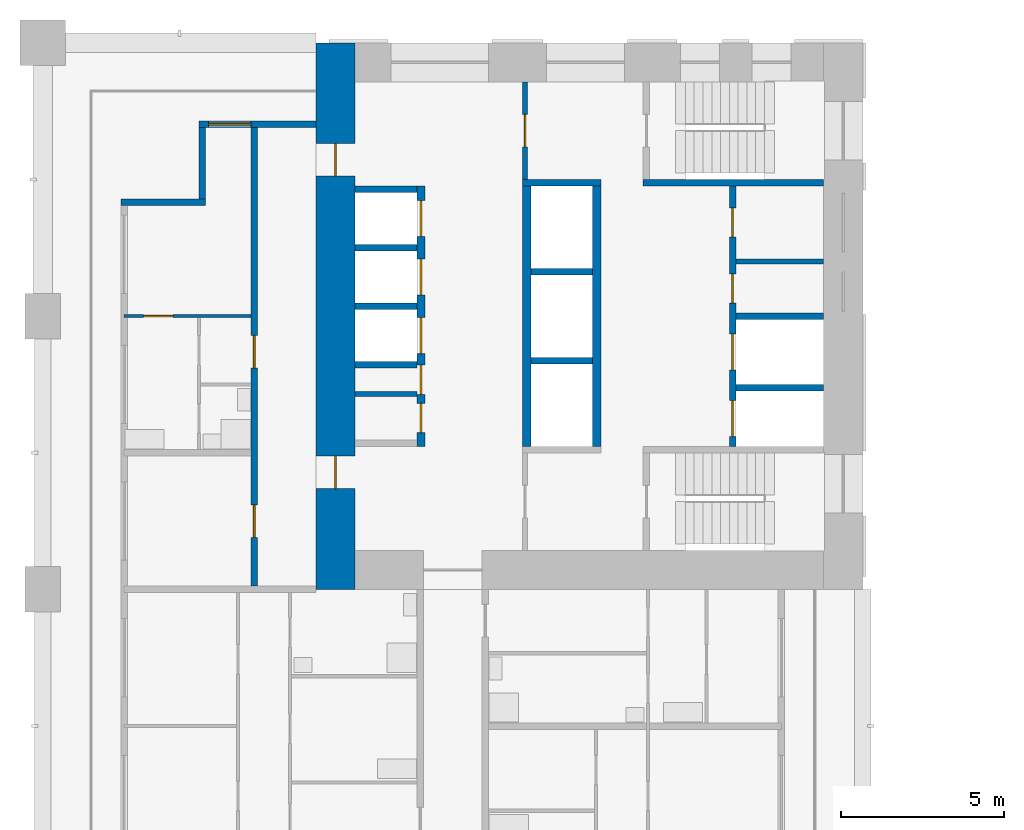
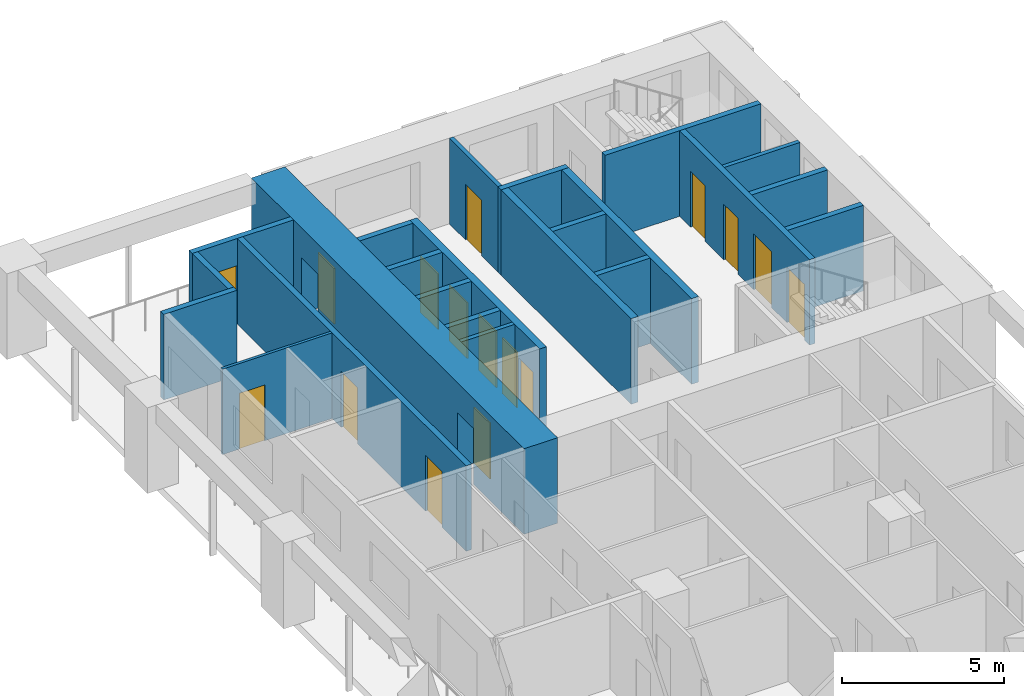
# One storey, part 9 of 19: 23 walls, 16 doors, 16 openings.
"""IFC4 building model written with IfcOpenShell, lengths in metres."""

from ifc_helpers import new_model, si_unit, direction, frame, frame_2d, origin, place, context, subcontext, project, spatial, rectangle, extrude, material, layer, layer_set, type_object, element, fill, save


model = new_model("IFC4")

# Units and contexts
model_context = context("Model", 3, precision=1e-05, world=origin(), true_north=direction((0.0, 1.0)))
body_context = subcontext(model_context, "Body", "Model", "MODEL_VIEW")
ifc_project = project(units=[si_unit("LENGTHUNIT", "METRE"), si_unit("AREAUNIT", "SQUARE_METRE"), si_unit("VOLUMEUNIT", "CUBIC_METRE"), si_unit("PLANEANGLEUNIT", "RADIAN"), si_unit("MASSUNIT", "GRAM", prefix="KILO")], contexts=[model_context])

# Site, building, storey
site_placement = place(None, origin())
site = spatial("IfcSite", under=ifc_project, at=site_placement, CompositionType="ELEMENT")
building_placement = place(site_placement, origin())
building = spatial("IfcBuilding", under=site, at=building_placement, Name="Vermilion Gate Residences", CompositionType="ELEMENT")
storey_placement = place(building_placement, frame((0.0, 0.0, 46.199951171875)))
storey = spatial("IfcBuildingStorey", under=building, at=storey_placement, Name="L10", CompositionType="ELEMENT", Elevation=46.199951171875)

# Walls
ifc_material_1 = material(Name="Masonry blockwork", Category="masonry")
ifc_layer_1 = layer(ifc_material_1, 0.14990234375)
ifc_layer_set_1 = layer_set([ifc_layer_1], Name="BLOCKWORK PARTITION 150 EI 120")
wall_type_1 = type_object("IfcWallType", Name="BLOCKWORK PARTITION 150 EI 120", PredefinedType="PARTITIONING", material=ifc_layer_set_1)
wall_1_placement = place(storey_placement, frame((9.60009765625, 48.007568359375, 0.0), z_axis=(0.0, 0.0, 1.0), x_axis=(1.0, 0.0, 0.0)))
element("IfcWall", 1, at=wall_1_placement, inside=storey, type_object=wall_type_1, Name="Core room partition B10-SR-P0", PredefinedType="PARTITIONING", context=body_context, shape_type="SweptSolid", body=[
    extrude(rectangle(XDim=1.89990234375, YDim=0.14990234375, at=frame_2d((0.949951171875, 0.0))), origin(), (0.0, 0.0, 1.0), 3.219970703125),
])
wall_2_placement = place(storey_placement, frame((21.300048828125, 52.074951171875, 0.0), z_axis=(0.0, 0.0, 1.0), x_axis=(1.0, 0.0, 0.0)))
element("IfcWall", 2, at=wall_2_placement, inside=storey, type_object=wall_type_1, Name="Core room partition B10-NR-P0", PredefinedType="PARTITIONING", context=body_context, shape_type="SweptSolid", body=[
    extrude(rectangle(XDim=2.699951171875, YDim=0.14990234375, at=frame_2d((1.35009765625, 0.0))), origin(), (0.0, 0.0, 1.0), 3.219970703125),
])

# Wall, opening, door
wall_3_placement = place(storey_placement, frame((14.824951171875, 57.60009765625, 0.0), z_axis=(0.0, 0.0, 1.0), x_axis=(0.0, -1.0, 0.0)))
wall_3 = element("IfcWall", 3, at=wall_3_placement, inside=storey, type_object=wall_type_1, Name="Core room partition B10-VW-S", PredefinedType="PARTITIONING", context=body_context, shape_type="SweptSolid", body=[
    extrude(rectangle(XDim=3.0, YDim=0.14990234375, at=frame_2d((1.5, 0.0))), origin(), (0.0, 0.0, 1.0), 3.219970703125),
])
opening_1_placement = place(wall_3_placement, frame((1.0, 0.0, 0.0)))
opening_1 = element("IfcOpeningElement", 4, at=opening_1_placement, cuts=wall_3, Name="Opening DK10113", PredefinedType="OPENING", context=body_context, shape_type="SweptSolid", body=[
    extrude(rectangle(XDim=1.0, YDim=2.10009765625, at=frame_2d((0.5, 1.050048828125))), frame((0.0, 0.0849609375, 0.0), z_axis=(0.0, -1.0, 0.0), x_axis=(1.0, 0.0, 0.0)), (0.0, 0.0, 1.0), 0.169921875),
])
ifc_material_2 = material(Name="Steel", Category="steel")
door_type_1 = type_object("IfcDoorType", Name="FIRE DOOR FD60 1000 X 2100", OperationType="SINGLE_SWING_LEFT", PredefinedType="DOOR", material=ifc_material_2)
door_1_placement = place(opening_1_placement, frame((1.0, 0.0, 0.0), z_axis=(0.0, 0.0, 1.0), x_axis=(-1.0, 0.0, 0.0)))
door_1 = element("IfcDoor", 5, at=door_1_placement, inside=storey, type_object=door_type_1, Name="Stair vestibule door B10", OperationType="SINGLE_SWING_RIGHT", OverallHeight=2.10009765625, OverallWidth=1.0, PredefinedType="DOOR", context=body_context, shape_type="SweptSolid", body=[
    extrude(rectangle(XDim=1.0, YDim=2.10009765625, at=frame_2d((0.5, 1.050048828125))), frame((0.0, 0.02490234375, 0.0), z_axis=(0.0, -1.0, 0.0), x_axis=(1.0, 0.0, 0.0)), (0.0, 0.0, 1.0), 0.050048828125),
])
fill(opening_1, door_1)

ifc_material_3 = material(Name="Insulated steel stud wall with terracotta rainscreen", Category="masonry")
ifc_layer_2 = layer(ifc_material_3, 0.199951171875)
ifc_layer_set_2 = layer_set([ifc_layer_2], Name="EXTERNAL WALL 200 TERRACOTTA RAINSCREEN")
wall_type_2 = type_object("IfcWallType", Name="EXTERNAL WALL 200 TERRACOTTA RAINSCREEN", PredefinedType="SOLIDWALL", material=ifc_layer_set_2)
wall_4_placement = place(storey_placement, frame((8.39990234375, 56.300048828125, 0.0), z_axis=(0.0, 0.0, 1.0), x_axis=(-1.0, 0.0, 0.0)))
wall_4 = element("IfcWall", 6, at=wall_4_placement, inside=storey, type_object=wall_type_2, Name="External wall", PredefinedType="SOLIDWALL", context=body_context, shape_type="SweptSolid", body=[
    extrude(rectangle(XDim=3.599853515625, YDim=0.199951171875, at=frame_2d((1.7998046875, 0.0))), origin(), (0.0, 0.0, 1.0), 3.219970703125),
])
opening_2_placement = place(wall_4_placement, frame((2.0, 0.0, 0.0)))
opening_2 = element("IfcOpeningElement", 7, at=opening_2_placement, cuts=wall_4, Name="Opening DE10001", PredefinedType="OPENING", context=body_context, shape_type="SweptSolid", body=[
    extrude(rectangle(XDim=1.300048828125, YDim=2.199951171875, at=frame_2d((0.64990234375, 1.10009765625))), frame((0.0, 0.10986328125, 0.0), z_axis=(0.0, -1.0, 0.0), x_axis=(1.0, 0.0, 0.0)), (0.0, 0.0, 1.0), 0.219970703125),
])
ifc_material_4 = material(Name="Aluminium and clear glass", Category="aluminium")
door_type_2 = type_object("IfcDoorType", Name="SLIDING GLAZED DOOR 1300 X 2200", OperationType="DOUBLE_DOOR_SLIDING", PredefinedType="DOOR", material=ifc_material_4)
door_2_placement = place(opening_2_placement, origin())
door_2 = element("IfcDoor", 8, at=door_2_placement, inside=storey, type_object=door_type_2, Name="Loggia sliding door", OperationType="DOUBLE_DOOR_SLIDING", OverallHeight=2.199951171875, OverallWidth=1.300048828125, PredefinedType="DOOR", context=body_context, shape_type="SweptSolid", body=[
    extrude(rectangle(XDim=1.300048828125, YDim=2.199951171875, at=frame_2d((0.64990234375, 1.10009765625))), frame((0.0, 0.02490234375, 0.0), z_axis=(0.0, -1.0, 0.0), x_axis=(1.0, 0.0, 0.0)), (0.0, 0.0, 1.0), 0.050048828125),
])
fill(opening_2, door_2)

# Walls
wall_5_placement = place(storey_placement, frame((4.89990234375, 56.199951171875, 0.0), z_axis=(0.0, 0.0, 1.0), x_axis=(0.0, -1.0, 0.0)))
element("IfcWall", 9, at=wall_5_placement, inside=storey, type_object=wall_type_2, Name="External wall", PredefinedType="SOLIDWALL", context=body_context, shape_type="SweptSolid", body=[
    extrude(rectangle(XDim=2.199951171875, YDim=0.199951171875, at=frame_2d((1.10009765625, 0.0))), origin(), (0.0, 0.0, 1.0), 3.219970703125),
])
wall_6_placement = place(storey_placement, frame((5.0, 53.89990234375, 0.0), z_axis=(0.0, 0.0, 1.0), x_axis=(-1.0, 0.0, 0.0)))
element("IfcWall", 10, at=wall_6_placement, inside=storey, type_object=wall_type_2, Name="External wall", PredefinedType="SOLIDWALL", context=body_context, shape_type="SweptSolid", body=[
    extrude(rectangle(XDim=2.60009765625, YDim=0.199951171875, at=frame_2d((1.300048828125, 0.0))), origin(), (0.0, 0.0, 1.0), 3.219970703125),
])

# Wall, opening, door
ifc_material_5 = material(Name="Plasterboard on steel studs", Category="steel")
ifc_layer_3 = layer(ifc_material_5, 0.10009765625)
ifc_layer_set_3 = layer_set([ifc_layer_3], Name="PARTITION 100")
wall_type_3 = type_object("IfcWallType", Name="PARTITION 100", PredefinedType="PARTITIONING", material=ifc_layer_set_3)
wall_7_placement = place(storey_placement, frame((2.5, 50.39990234375, 0.0), z_axis=(0.0, 0.0, 1.0), x_axis=(1.0, 0.0, 0.0)))
wall_7 = element("IfcWall", 11, at=wall_7_placement, inside=storey, type_object=wall_type_3, Name="Partition", PredefinedType="PARTITIONING", context=body_context, shape_type="SweptSolid", body=[
    extrude(rectangle(XDim=3.89990234375, YDim=0.10009765625, at=frame_2d((1.949951171875, 0.0))), origin(), (0.0, 0.0, 1.0), 3.219970703125),
])
opening_3_placement = place(wall_7_placement, frame((0.60009765625, 0.0, 0.0)))
opening_3 = element("IfcOpeningElement", 12, at=opening_3_placement, cuts=wall_7, Name="Opening DA10042", PredefinedType="OPENING", context=body_context, shape_type="SweptSolid", body=[
    extrude(rectangle(XDim=0.89990234375, YDim=2.10009765625, at=frame_2d((0.449951171875, 1.050048828125))), frame((0.0, 0.06005859375, 0.0), z_axis=(0.0, -1.0, 0.0), x_axis=(1.0, 0.0, 0.0)), (0.0, 0.0, 1.0), 0.1201171875),
])
ifc_material_6 = material(Name="Timber", Category="wood")
door_type_3 = type_object("IfcDoorType", Name="INTERIOR DOOR 900 X 2100", OperationType="SINGLE_SWING_LEFT", PredefinedType="DOOR", material=ifc_material_6)
door_3_placement = place(opening_3_placement, frame((0.89990234375, 0.0, 0.0), z_axis=(0.0, 0.0, 1.0), x_axis=(-1.0, 0.0, 0.0)))
door_3 = element("IfcDoor", 13, at=door_3_placement, inside=storey, type_object=door_type_3, Name="Interior door", OperationType="SINGLE_SWING_RIGHT", OverallHeight=2.10009765625, OverallWidth=0.89990234375, PredefinedType="DOOR", context=body_context, shape_type="SweptSolid", body=[
    extrude(rectangle(XDim=0.89990234375, YDim=2.10009765625, at=frame_2d((0.449951171875, 1.050048828125))), frame((0.0, 0.02490234375, 0.0), z_axis=(0.0, -1.0, 0.0), x_axis=(1.0, 0.0, 0.0)), (0.0, 0.0, 1.0), 0.050048828125),
])
fill(opening_3, door_3)

# Wall, openings, doors
ifc_material_7 = material(Name="Fire-rated plasterboard on steel studs", Category="steel")
ifc_layer_4 = layer(ifc_material_7, 0.199951171875)
ifc_layer_set_4 = layer_set([ifc_layer_4], Name="PARTY WALL 200 EI 120")
wall_type_4 = type_object("IfcWallType", Name="PARTY WALL 200 EI 120", PredefinedType="PARTITIONING", material=ifc_layer_set_4)
wall_8_placement = place(storey_placement, frame((6.5, 42.10009765625, 0.0), z_axis=(0.0, 0.0, 1.0), x_axis=(0.0, 1.0, 0.0)))
wall_8 = element("IfcWall", 14, at=wall_8_placement, inside=storey, type_object=wall_type_4, Name="Party and corridor wall", PredefinedType="PARTITIONING", context=body_context, shape_type="SweptSolid", body=[
    extrude(rectangle(XDim=14.199951171875, YDim=0.199951171875, at=frame_2d((7.10009765625, 0.0))), origin(), (0.0, 0.0, 1.0), 3.219970703125),
])
opening_4_placement = place(wall_8_placement, frame((1.5, 0.0, 0.0)))
opening_4 = element("IfcOpeningElement", 15, at=opening_4_placement, cuts=wall_8, Name="Opening DA10049", PredefinedType="OPENING", context=body_context, shape_type="SweptSolid", body=[
    extrude(rectangle(XDim=1.0, YDim=2.10009765625, at=frame_2d((0.5, 1.050048828125))), frame((0.0, 0.10986328125, 0.0), z_axis=(0.0, -1.0, 0.0), x_axis=(1.0, 0.0, 0.0)), (0.0, 0.0, 1.0), 0.219970703125),
])
opening_5_placement = place(wall_8_placement, frame((6.699951171875, 0.0, 0.0)))
opening_5 = element("IfcOpeningElement", 16, at=opening_5_placement, cuts=wall_8, Name="Opening DA10050", PredefinedType="OPENING", context=body_context, shape_type="SweptSolid", body=[
    extrude(rectangle(XDim=1.0, YDim=2.10009765625, at=frame_2d((0.5, 1.050048828125))), frame((0.0, 0.10986328125, 0.0), z_axis=(0.0, -1.0, 0.0), x_axis=(1.0, 0.0, 0.0)), (0.0, 0.0, 1.0), 0.219970703125),
])
ifc_material_8 = material(Name="Steel", Category="steel")
door_type_4 = type_object("IfcDoorType", Name="ENTRANCE DOOR 1000 X 2100 FD30", OperationType="SINGLE_SWING_LEFT", PredefinedType="DOOR", material=ifc_material_8)
door_4_placement = place(opening_4_placement, origin())
door_4 = element("IfcDoor", 17, at=door_4_placement, inside=storey, type_object=door_type_4, Name="Entrance door", OperationType="SINGLE_SWING_LEFT", OverallHeight=2.10009765625, OverallWidth=1.0, PredefinedType="DOOR", context=body_context, shape_type="SweptSolid", body=[
    extrude(rectangle(XDim=1.0, YDim=2.10009765625, at=frame_2d((0.5, 1.050048828125))), frame((0.0, 0.02490234375, 0.0), z_axis=(0.0, -1.0, 0.0), x_axis=(1.0, 0.0, 0.0)), (0.0, 0.0, 1.0), 0.050048828125),
])
fill(opening_4, door_4)
door_5_placement = place(opening_5_placement, origin())
door_5 = element("IfcDoor", 18, at=door_5_placement, inside=storey, type_object=door_type_4, Name="Entrance door", OperationType="SINGLE_SWING_LEFT", OverallHeight=2.10009765625, OverallWidth=1.0, PredefinedType="DOOR", context=body_context, shape_type="SweptSolid", body=[
    extrude(rectangle(XDim=1.0, YDim=2.10009765625, at=frame_2d((0.5, 1.050048828125))), frame((0.0, 0.02490234375, 0.0), z_axis=(0.0, -1.0, 0.0), x_axis=(1.0, 0.0, 0.0)), (0.0, 0.0, 1.0), 0.050048828125),
])
fill(opening_5, door_5)

# Walls
ifc_material_9 = material(Name="Concrete C60", Category="concrete")
ifc_layer_5 = layer(ifc_material_9, 0.199951171875)
ifc_layer_set_5 = layer_set([ifc_layer_5], Name="RC CORE INTERNAL WALL 200 C60")
wall_type_5 = type_object("IfcWallType", Name="RC CORE INTERNAL WALL 200 C60", PredefinedType="SHEAR", material=ifc_layer_set_5)
for number, where, z_axis, x_axis, name in (
    (19, (9.60009765625, 54.300048828125, 0.0), (0.0, 0.0, 1.0), (1.0, 0.0, 0.0), "Core internal wall B10-LR-D0"),
    (20, (9.60009765625, 52.5, 0.0), (0.0, 0.0, 1.0), (1.0, 0.0, 0.0), "Core internal wall B10-LR-D1"),
    (21, (9.60009765625, 50.699951171875, 0.0), (0.0, 0.0, 1.0), (1.0, 0.0, 0.0), "Core internal wall B10-LR-D2"),
    (22, (9.60009765625, 48.89990234375, 0.0), (0.0, 0.0, 1.0), (1.0, 0.0, 0.0), "Core internal wall B10-LR-D3"),
    (23, (15.0, 51.7666015625, 0.0), (0.0, 0.0, 1.0), (1.0, 0.0, 0.0), "Core internal wall B10-HR-D1"),
    (24, (15.0, 49.033447265625, 0.0), (0.0, 0.0, 1.0), (1.0, 0.0, 0.0), "Core internal wall B10-HR-D2"),
):
    element("IfcWall", number, at=place(storey_placement, frame(where, z_axis=z_axis, x_axis=x_axis)), inside=storey, type_object=wall_type_5, Name=name, PredefinedType="SHEAR", context=body_context, shape_type="SweptSolid", body=[
        extrude(rectangle(XDim=1.89990234375, YDim=0.199951171875, at=frame_2d((0.949951171875, 0.0))), origin(), (0.0, 0.0, 1.0), 3.219970703125),
    ])
for number, where, z_axis, x_axis, name in (
    (25, (21.300048828125, 50.39990234375, 0.0), (0.0, 0.0, 1.0), (1.0, 0.0, 0.0), "Core internal wall B10-FF-D0"),
    (26, (21.300048828125, 48.199951171875, 0.0), (0.0, 0.0, 1.0), (1.0, 0.0, 0.0), "Core internal wall B10-FF-D1"),
):
    element("IfcWall", number, at=place(storey_placement, frame(where, z_axis=z_axis, x_axis=x_axis)), inside=storey, type_object=wall_type_5, Name=name, PredefinedType="SHEAR", context=body_context, shape_type="SweptSolid", body=[
        extrude(rectangle(XDim=2.699951171875, YDim=0.199951171875, at=frame_2d((1.35009765625, 0.0))), origin(), (0.0, 0.0, 1.0), 3.219970703125),
    ])

# Wall, openings, doors
wall_9_placement = place(storey_placement, frame((21.199951171875, 54.39990234375, 0.0), z_axis=(0.0, 0.0, 1.0), x_axis=(0.0, -1.0, 0.0)))
wall_9 = element("IfcWall", 27, at=wall_9_placement, inside=storey, type_object=wall_type_5, Name="Core internal wall B10-FF-F", PredefinedType="SHEAR", context=body_context, shape_type="SweptSolid", body=[
    extrude(rectangle(XDim=8.0, YDim=0.199951171875, at=frame_2d((4.0, 0.0))), origin(), (0.0, 0.0, 1.0), 3.219970703125),
])
opening_6_placement = place(wall_9_placement, frame((0.675048828125, 0.0, 0.0)))
opening_6 = element("IfcOpeningElement", 28, at=opening_6_placement, cuts=wall_9, Name="Opening DK10109", PredefinedType="OPENING", context=body_context, shape_type="SweptSolid", body=[
    extrude(rectangle(XDim=0.89990234375, YDim=2.10009765625, at=frame_2d((0.449951171875, 1.050048828125))), frame((0.0, 0.10986328125, 0.0), z_axis=(0.0, -1.0, 0.0), x_axis=(1.0, 0.0, 0.0)), (0.0, 0.0, 1.0), 0.219970703125),
])
opening_7_placement = place(wall_9_placement, frame((2.699951171875, 0.0, 0.0)))
opening_7 = element("IfcOpeningElement", 29, at=opening_7_placement, cuts=wall_9, Name="Opening DK10110", PredefinedType="OPENING", context=body_context, shape_type="SweptSolid", body=[
    extrude(rectangle(XDim=0.89990234375, YDim=2.10009765625, at=frame_2d((0.449951171875, 1.050048828125))), frame((0.0, 0.10986328125, 0.0), z_axis=(0.0, -1.0, 0.0), x_axis=(1.0, 0.0, 0.0)), (0.0, 0.0, 1.0), 0.219970703125),
])
opening_8_placement = place(wall_9_placement, frame((4.550048828125, 0.0, 0.0)))
opening_8 = element("IfcOpeningElement", 30, at=opening_8_placement, cuts=wall_9, Name="Opening LD", PredefinedType="OPENING", context=body_context, shape_type="SweptSolid", body=[
    extrude(rectangle(XDim=1.10009765625, YDim=2.10009765625, at=frame_2d((0.550048828125, 1.050048828125))), frame((0.0, 0.10986328125, 0.0), z_axis=(0.0, -1.0, 0.0), x_axis=(1.0, 0.0, 0.0)), (0.0, 0.0, 1.0), 0.219970703125),
])
opening_9_placement = place(wall_9_placement, frame((6.60009765625, 0.0, 0.0)))
opening_9 = element("IfcOpeningElement", 31, at=opening_9_placement, cuts=wall_9, Name="Opening LD", PredefinedType="OPENING", context=body_context, shape_type="SweptSolid", body=[
    extrude(rectangle(XDim=1.10009765625, YDim=2.10009765625, at=frame_2d((0.550048828125, 1.050048828125))), frame((0.0, 0.10986328125, 0.0), z_axis=(0.0, -1.0, 0.0), x_axis=(1.0, 0.0, 0.0)), (0.0, 0.0, 1.0), 0.219970703125),
])
ifc_material_10 = material(Name="Stainless steel", Category="steel")
door_type_5 = type_object("IfcDoorType", Name="LIFT LANDING DOOR E60 1100 X 2100", OperationType="DOUBLE_DOOR_SLIDING", PredefinedType="DOOR", material=ifc_material_10)
door_6_placement = place(opening_8_placement, origin())
door_6 = element("IfcDoor", 32, at=door_6_placement, inside=storey, type_object=door_type_5, Name="Lift landing door LFB1", OperationType="DOUBLE_DOOR_SLIDING", OverallHeight=2.10009765625, OverallWidth=1.10009765625, PredefinedType="DOOR", context=body_context, shape_type="SweptSolid", body=[
    extrude(rectangle(XDim=1.10009765625, YDim=2.10009765625, at=frame_2d((0.550048828125, 1.050048828125))), frame((0.0, 0.02490234375, 0.0), z_axis=(0.0, -1.0, 0.0), x_axis=(1.0, 0.0, 0.0)), (0.0, 0.0, 1.0), 0.050048828125),
])
fill(opening_8, door_6)
door_7_placement = place(opening_9_placement, origin())
door_7 = element("IfcDoor", 33, at=door_7_placement, inside=storey, type_object=door_type_5, Name="Lift landing door LCB1", OperationType="DOUBLE_DOOR_SLIDING", OverallHeight=2.10009765625, OverallWidth=1.10009765625, PredefinedType="DOOR", context=body_context, shape_type="SweptSolid", body=[
    extrude(rectangle(XDim=1.10009765625, YDim=2.10009765625, at=frame_2d((0.550048828125, 1.050048828125))), frame((0.0, 0.02490234375, 0.0), z_axis=(0.0, -1.0, 0.0), x_axis=(1.0, 0.0, 0.0)), (0.0, 0.0, 1.0), 0.050048828125),
])
fill(opening_9, door_7)
ifc_material_11 = material(Name="Steel", Category="steel")
door_type_6 = type_object("IfcDoorType", Name="SERVICE ROOM DOOR FD60 900 X 2100", OperationType="SINGLE_SWING_LEFT", PredefinedType="DOOR", material=ifc_material_11)
door_8_placement = place(opening_6_placement, origin())
door_8 = element("IfcDoor", 34, at=door_8_placement, inside=storey, type_object=door_type_6, Name="Parcel room B10", OperationType="SINGLE_SWING_RIGHT", OverallHeight=2.10009765625, OverallWidth=0.89990234375, PredefinedType="DOOR", context=body_context, shape_type="SweptSolid", body=[
    extrude(rectangle(XDim=0.89990234375, YDim=2.10009765625, at=frame_2d((0.449951171875, 1.050048828125))), frame((0.0, 0.02490234375, 0.0), z_axis=(0.0, -1.0, 0.0), x_axis=(1.0, 0.0, 0.0)), (0.0, 0.0, 1.0), 0.050048828125),
])
fill(opening_6, door_8)
door_9_placement = place(opening_7_placement, frame((0.89990234375, 0.0, 0.0), z_axis=(0.0, 0.0, 1.0), x_axis=(-1.0, 0.0, 0.0)))
door_9 = element("IfcDoor", 35, at=door_9_placement, inside=storey, type_object=door_type_6, Name="Electrical room B10", OperationType="SINGLE_SWING_RIGHT", OverallHeight=2.10009765625, OverallWidth=0.89990234375, PredefinedType="DOOR", context=body_context, shape_type="SweptSolid", body=[
    extrude(rectangle(XDim=0.89990234375, YDim=2.10009765625, at=frame_2d((0.449951171875, 1.050048828125))), frame((0.0, 0.02490234375, 0.0), z_axis=(0.0, -1.0, 0.0), x_axis=(1.0, 0.0, 0.0)), (0.0, 0.0, 1.0), 0.050048828125),
])
fill(opening_7, door_9)

# Walls
wall_10_placement = place(storey_placement, frame((14.75, 54.5, 0.0), z_axis=(0.0, 0.0, 1.0), x_axis=(1.0, 0.0, 0.0)))
element("IfcWall", 36, at=wall_10_placement, inside=storey, type_object=wall_type_5, Name="Core internal wall B10-WDIV1", PredefinedType="SHEAR", context=body_context, shape_type="SweptSolid", body=[
    extrude(rectangle(XDim=2.39990234375, YDim=0.199951171875, at=frame_2d((1.199951171875, 0.0))), origin(), (0.0, 0.0, 1.0), 3.219970703125),
])
wall_11_placement = place(storey_placement, frame((18.449951171875, 54.5, 0.0), z_axis=(0.0, 0.0, 1.0), x_axis=(1.0, 0.0, 0.0)))
element("IfcWall", 37, at=wall_11_placement, inside=storey, type_object=wall_type_5, Name="Core internal wall B10-WDIV2", PredefinedType="SHEAR", context=body_context, shape_type="SweptSolid", body=[
    extrude(rectangle(XDim=5.550048828125, YDim=0.199951171875, at=frame_2d((2.77490234375, 0.0))), origin(), (0.0, 0.0, 1.0), 3.219970703125),
])

# Wall, openings, doors
ifc_material_12 = material(Name="Concrete C80", Category="concrete")
ifc_layer_6 = layer(ifc_material_12, 1.199951171875)
ifc_layer_set_6 = layer_set([ifc_layer_6], Name="RC CORE WALL 1200 C80")
wall_type_6 = type_object("IfcWallType", Name="RC CORE WALL 1200 C80", PredefinedType="SHEAR", material=ifc_layer_set_6)
wall_12_placement = place(storey_placement, frame((9.0, 58.800048828125, 0.0), z_axis=(0.0, 0.0, 1.0), x_axis=(0.0, -1.0, 0.0)))
wall_12 = element("IfcWall", 38, at=wall_12_placement, inside=storey, type_object=wall_type_6, Name="Core wall B10-OUT-B0", PredefinedType="SHEAR", context=body_context, shape_type="SweptSolid", body=[
    extrude(rectangle(XDim=16.800048828125, YDim=1.199951171875, at=frame_2d((8.39990234375, 0.0))), origin(), (0.0, 0.0, 1.0), 3.219970703125),
])
opening_10_placement = place(wall_12_placement, frame((3.10009765625, 0.0, 0.0)))
opening_10 = element("IfcOpeningElement", 39, at=opening_10_placement, cuts=wall_12, Name="Opening DK10101", PredefinedType="OPENING", context=body_context, shape_type="SweptSolid", body=[
    extrude(rectangle(XDim=1.0, YDim=2.10009765625, at=frame_2d((0.5, 1.050048828125))), frame((0.0, 0.60986328125, 0.0), z_axis=(0.0, -1.0, 0.0), x_axis=(1.0, 0.0, 0.0)), (0.0, 0.0, 1.0), 1.219970703125),
])
opening_11_placement = place(wall_12_placement, frame((12.699951171875, 0.0, 0.0)))
opening_11 = element("IfcOpeningElement", 40, at=opening_11_placement, cuts=wall_12, Name="Opening DK10102", PredefinedType="OPENING", context=body_context, shape_type="SweptSolid", body=[
    extrude(rectangle(XDim=1.0, YDim=2.10009765625, at=frame_2d((0.5, 1.050048828125))), frame((0.0, 0.60986328125, 0.0), z_axis=(0.0, -1.0, 0.0), x_axis=(1.0, 0.0, 0.0)), (0.0, 0.0, 1.0), 1.219970703125),
])
door_10_placement = place(opening_10_placement, origin())
door_10 = element("IfcDoor", 41, at=door_10_placement, inside=storey, type_object=door_type_1, Name="Core lobby side door B10", OperationType="SINGLE_SWING_RIGHT", OverallHeight=2.10009765625, OverallWidth=1.0, PredefinedType="DOOR", context=body_context, shape_type="SweptSolid", body=[
    extrude(rectangle(XDim=1.0, YDim=2.10009765625, at=frame_2d((0.5, 1.050048828125))), frame((0.0, 0.02490234375, 0.0), z_axis=(0.0, -1.0, 0.0), x_axis=(1.0, 0.0, 0.0)), (0.0, 0.0, 1.0), 0.050048828125),
])
fill(opening_10, door_10)
door_11_placement = place(opening_11_placement, origin())
door_11 = element("IfcDoor", 42, at=door_11_placement, inside=storey, type_object=door_type_1, Name="Core lobby side door B10", OperationType="SINGLE_SWING_LEFT", OverallHeight=2.10009765625, OverallWidth=1.0, PredefinedType="DOOR", context=body_context, shape_type="SweptSolid", body=[
    extrude(rectangle(XDim=1.0, YDim=2.10009765625, at=frame_2d((0.5, 1.050048828125))), frame((0.0, 0.02490234375, 0.0), z_axis=(0.0, -1.0, 0.0), x_axis=(1.0, 0.0, 0.0)), (0.0, 0.0, 1.0), 0.050048828125),
])
fill(opening_11, door_11)

ifc_material_13 = material(Name="Concrete C60", Category="concrete")
ifc_layer_7 = layer(ifc_material_13, 0.25)
ifc_layer_set_7 = layer_set([ifc_layer_7], Name="RC LIFT SHAFT WALL 250 C60")
wall_type_7 = type_object("IfcWallType", Name="RC LIFT SHAFT WALL 250 C60", PredefinedType="SHEAR", material=ifc_layer_set_7)
wall_13_placement = place(storey_placement, frame((11.625, 54.39990234375, 0.0), z_axis=(0.0, 0.0, 1.0), x_axis=(0.0, -1.0, 0.0)))
wall_13 = element("IfcWall", 43, at=wall_13_placement, inside=storey, type_object=wall_type_7, Name="Lift shaft wall B10-LR-F", PredefinedType="SHEAR", context=body_context, shape_type="SweptSolid", body=[
    extrude(rectangle(XDim=8.0, YDim=0.25, at=frame_2d((4.0, 0.0))), origin(), (0.0, 0.0, 1.0), 3.219970703125),
])
opening_12_placement = place(wall_13_placement, frame((0.449951171875, 0.0, 0.0)))
opening_12 = element("IfcOpeningElement", 44, at=opening_12_placement, cuts=wall_13, Name="Opening LD", PredefinedType="OPENING", context=body_context, shape_type="SweptSolid", body=[
    extrude(rectangle(XDim=1.10009765625, YDim=2.10009765625, at=frame_2d((0.550048828125, 1.050048828125))), frame((0.0, 0.135009765625, 0.0), z_axis=(0.0, -1.0, 0.0), x_axis=(1.0, 0.0, 0.0)), (0.0, 0.0, 1.0), 0.27001953125),
])
opening_13_placement = place(wall_13_placement, frame((2.25, 0.0, 0.0)))
opening_13 = element("IfcOpeningElement", 45, at=opening_13_placement, cuts=wall_13, Name="Opening LD", PredefinedType="OPENING", context=body_context, shape_type="SweptSolid", body=[
    extrude(rectangle(XDim=1.10009765625, YDim=2.10009765625, at=frame_2d((0.550048828125, 1.050048828125))), frame((0.0, 0.135009765625, 0.0), z_axis=(0.0, -1.0, 0.0), x_axis=(1.0, 0.0, 0.0)), (0.0, 0.0, 1.0), 0.27001953125),
])
opening_14_placement = place(wall_13_placement, frame((4.050048828125, 0.0, 0.0)))
opening_14 = element("IfcOpeningElement", 46, at=opening_14_placement, cuts=wall_13, Name="Opening LD", PredefinedType="OPENING", context=body_context, shape_type="SweptSolid", body=[
    extrude(rectangle(XDim=1.10009765625, YDim=2.10009765625, at=frame_2d((0.550048828125, 1.050048828125))), frame((0.0, 0.135009765625, 0.0), z_axis=(0.0, -1.0, 0.0), x_axis=(1.0, 0.0, 0.0)), (0.0, 0.0, 1.0), 0.27001953125),
])
opening_15_placement = place(wall_13_placement, frame((5.5087890625, 0.0, 0.0)))
opening_15 = element("IfcOpeningElement", 47, at=opening_15_placement, cuts=wall_13, Name="Opening DK10107", PredefinedType="OPENING", context=body_context, shape_type="SweptSolid", body=[
    extrude(rectangle(XDim=0.89990234375, YDim=2.10009765625, at=frame_2d((0.449951171875, 1.050048828125))), frame((0.0, 0.135009765625, 0.0), z_axis=(0.0, -1.0, 0.0), x_axis=(1.0, 0.0, 0.0)), (0.0, 0.0, 1.0), 0.27001953125),
])
opening_16_placement = place(wall_13_placement, frame((6.683837890625, 0.0, 0.0)))
opening_16 = element("IfcOpeningElement", 48, at=opening_16_placement, cuts=wall_13, Name="Opening DK10108", PredefinedType="OPENING", context=body_context, shape_type="SweptSolid", body=[
    extrude(rectangle(XDim=0.89990234375, YDim=2.10009765625, at=frame_2d((0.449951171875, 1.050048828125))), frame((0.0, 0.135009765625, 0.0), z_axis=(0.0, -1.0, 0.0), x_axis=(1.0, 0.0, 0.0)), (0.0, 0.0, 1.0), 0.27001953125),
])
door_12_placement = place(opening_12_placement, origin())
door_12 = element("IfcDoor", 49, at=door_12_placement, inside=storey, type_object=door_type_5, Name="Lift landing door LRB1", OperationType="DOUBLE_DOOR_SLIDING", OverallHeight=2.10009765625, OverallWidth=1.10009765625, PredefinedType="DOOR", context=body_context, shape_type="SweptSolid", body=[
    extrude(rectangle(XDim=1.10009765625, YDim=2.10009765625, at=frame_2d((0.550048828125, 1.050048828125))), frame((0.0, 0.02490234375, 0.0), z_axis=(0.0, -1.0, 0.0), x_axis=(1.0, 0.0, 0.0)), (0.0, 0.0, 1.0), 0.050048828125),
])
fill(opening_12, door_12)
door_13_placement = place(opening_13_placement, origin())
door_13 = element("IfcDoor", 50, at=door_13_placement, inside=storey, type_object=door_type_5, Name="Lift landing door LRB2", OperationType="DOUBLE_DOOR_SLIDING", OverallHeight=2.10009765625, OverallWidth=1.10009765625, PredefinedType="DOOR", context=body_context, shape_type="SweptSolid", body=[
    extrude(rectangle(XDim=1.10009765625, YDim=2.10009765625, at=frame_2d((0.550048828125, 1.050048828125))), frame((0.0, 0.02490234375, 0.0), z_axis=(0.0, -1.0, 0.0), x_axis=(1.0, 0.0, 0.0)), (0.0, 0.0, 1.0), 0.050048828125),
])
fill(opening_13, door_13)
door_14_placement = place(opening_14_placement, origin())
door_14 = element("IfcDoor", 51, at=door_14_placement, inside=storey, type_object=door_type_5, Name="Lift landing door LRB3", OperationType="DOUBLE_DOOR_SLIDING", OverallHeight=2.10009765625, OverallWidth=1.10009765625, PredefinedType="DOOR", context=body_context, shape_type="SweptSolid", body=[
    extrude(rectangle(XDim=1.10009765625, YDim=2.10009765625, at=frame_2d((0.550048828125, 1.050048828125))), frame((0.0, 0.02490234375, 0.0), z_axis=(0.0, -1.0, 0.0), x_axis=(1.0, 0.0, 0.0)), (0.0, 0.0, 1.0), 0.050048828125),
])
fill(opening_14, door_14)
door_15_placement = place(opening_15_placement, origin())
door_15 = element("IfcDoor", 52, at=door_15_placement, inside=storey, type_object=door_type_6, Name="Fire equipment store B10", OperationType="SINGLE_SWING_LEFT", OverallHeight=2.10009765625, OverallWidth=0.89990234375, PredefinedType="DOOR", context=body_context, shape_type="SweptSolid", body=[
    extrude(rectangle(XDim=0.89990234375, YDim=2.10009765625, at=frame_2d((0.449951171875, 1.050048828125))), frame((0.0, 0.02490234375, 0.0), z_axis=(0.0, -1.0, 0.0), x_axis=(1.0, 0.0, 0.0)), (0.0, 0.0, 1.0), 0.050048828125),
])
fill(opening_15, door_15)
door_16_placement = place(opening_16_placement, frame((0.89990234375, 0.0, 0.0), z_axis=(0.0, 0.0, 1.0), x_axis=(-1.0, 0.0, 0.0)))
door_16 = element("IfcDoor", 53, at=door_16_placement, inside=storey, type_object=door_type_6, Name="Mail room B10", OperationType="SINGLE_SWING_RIGHT", OverallHeight=2.10009765625, OverallWidth=0.89990234375, PredefinedType="DOOR", context=body_context, shape_type="SweptSolid", body=[
    extrude(rectangle(XDim=0.89990234375, YDim=2.10009765625, at=frame_2d((0.449951171875, 1.050048828125))), frame((0.0, 0.02490234375, 0.0), z_axis=(0.0, -1.0, 0.0), x_axis=(1.0, 0.0, 0.0)), (0.0, 0.0, 1.0), 0.050048828125),
])
fill(opening_16, door_16)

# Walls
for number, where, z_axis, x_axis, name in (
    (54, (14.875, 54.39990234375, 0.0), (0.0, 0.0, 1.0), (0.0, -1.0, 0.0), "Lift shaft wall B10-HR-F"),
    (55, (17.02490234375, 54.39990234375, 0.0), (0.0, 0.0, 1.0), (0.0, -1.0, 0.0), "Lift shaft wall B10-HR-B"),
):
    element("IfcWall", number, at=place(storey_placement, frame(where, z_axis=z_axis, x_axis=x_axis)), inside=storey, type_object=wall_type_7, Name=name, PredefinedType="SHEAR", context=body_context, shape_type="SweptSolid", body=[
        extrude(rectangle(XDim=8.0, YDim=0.25, at=frame_2d((4.0, 0.0))), origin(), (0.0, 0.0, 1.0), 3.219970703125),
    ])

save(model, "model.ifc")
